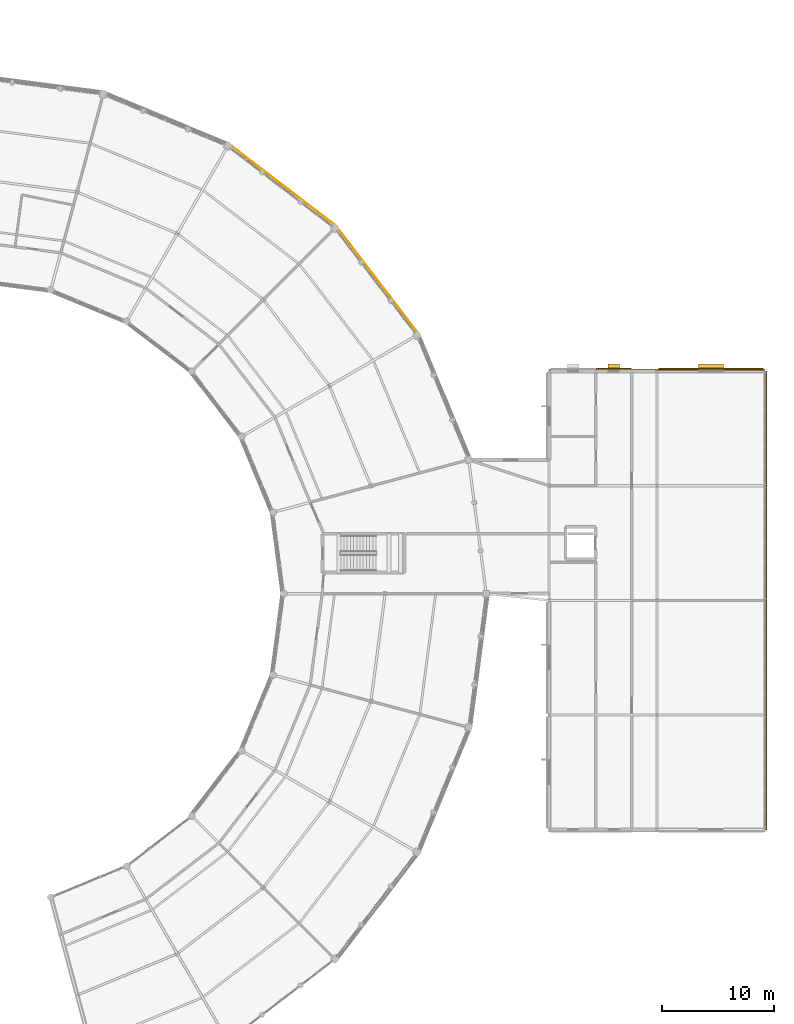
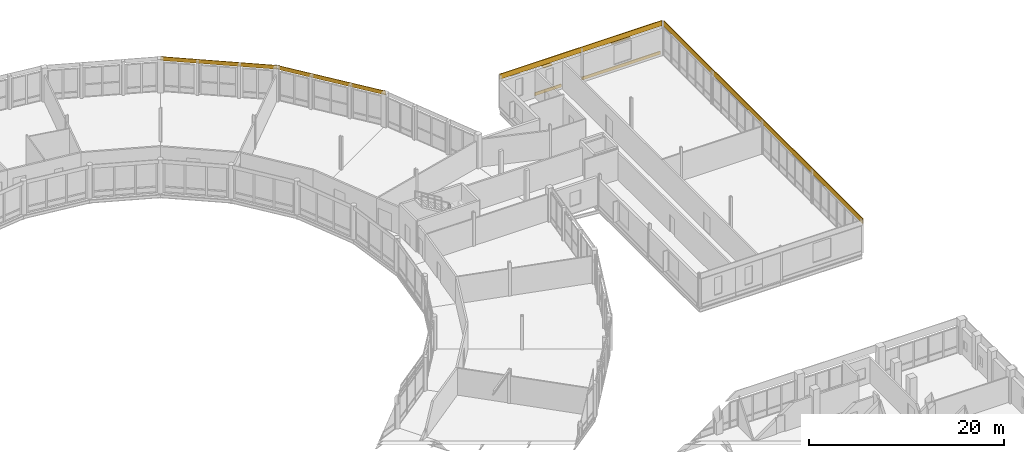
# One storey, part 170 of 170: 6 coverings, 2 shading devices.
"""IFC4 building model written with IfcOpenShell, lengths in metres."""

from ifc_helpers import new_model, si_unit, direction, frame, origin, origin_2d, place, context, subcontext, project, spatial, rectangle, extrude, material, layer, layer_set, type_object, element, save


model = new_model("IFC4")

# Units and contexts
model_context = context("Model", 3, precision=1e-05, world=origin(), true_north=direction((0.0, 1.0)))
body_context = subcontext(model_context, "Body", "Model", "MODEL_VIEW")
ifc_project = project(units=[si_unit("LENGTHUNIT", "METRE"), si_unit("AREAUNIT", "SQUARE_METRE"), si_unit("VOLUMEUNIT", "CUBIC_METRE"), si_unit("PLANEANGLEUNIT", "RADIAN"), si_unit("MASSUNIT", "GRAM", prefix="KILO")], contexts=[model_context])

# Site, building, storey
site_placement = place(None, origin())
site = spatial("IfcSite", under=ifc_project, at=site_placement, CompositionType="ELEMENT")
building_placement = place(site_placement, origin())
building = spatial("IfcBuilding", under=site, at=building_placement, Name="Vondelvale Polytechnic", CompositionType="ELEMENT")
storey_placement = place(building_placement, frame((0.0, 0.0, 5.39990234375)))
storey = spatial("IfcBuildingStorey", under=building, at=storey_placement, Name="L01", CompositionType="ELEMENT", Elevation=5.39990234375)

# Coverings
ifc_material_1 = material(Name="Amsterdam School iron-spot clinker clay brickwork", Category="masonry")
ifc_layer_1 = layer(ifc_material_1, 0.090087890625)
ifc_layer_set_1 = layer_set([ifc_layer_1], Name="COV-BRICK-RELIEF")
covering_type_1 = type_object("IfcCoveringType", Name="COV-BRICK-RELIEF", PredefinedType="CLADDING", material=ifc_layer_set_1)
covering_1_placement = place(storey_placement, frame((172.93701171875, 71.39990234375, 3.550048828125), z_axis=(0.0, 0.0, 1.0), x_axis=(0.0, 1.0, 0.0)))
element("IfcCovering", 1, at=covering_1_placement, inside=storey, type_object=covering_type_1, Name="L01 exterior masonry spandrel band", PredefinedType="CLADDING", context=body_context, shape_type="SweptSolid", body=[
    extrude(rectangle(XDim=40.800048828125, YDim=0.090087890625, at=origin_2d()), origin(), (0.0, 0.0, 1.0), 0.64990234375),
])
covering_2_placement = place(storey_placement, frame((163.199951171875, 91.93701171875, 3.550048828125), z_axis=(0.0, 0.0, 1.0), x_axis=(1.0, 0.0, 0.0)))
element("IfcCovering", 2, at=covering_2_placement, inside=storey, type_object=covering_type_1, Name="L01 exterior masonry spandrel band", PredefinedType="CLADDING", context=body_context, shape_type="SweptSolid", body=[
    extrude(rectangle(XDim=19.199951171875, YDim=0.090087890625, at=origin_2d()), origin(), (0.0, 0.0, 1.0), 0.64990234375),
])
covering_3_placement = place(storey_placement, frame((159.35009765625, 92.0009765625, 0.000244140625), z_axis=(0.0, 0.0, 1.0), x_axis=(1.0, 0.0, 0.0)))
element("IfcCovering", 3, at=covering_3_placement, inside=storey, type_object=covering_type_1, Name="L01 exterior corbelled masonry relief band", PredefinedType="CLADDING", context=body_context, shape_type="SweptSolid", body=[
    extrude(rectangle(XDim=3.139892578125, YDim=0.090087890625, at=origin_2d()), origin(), (0.0, 0.0, 1.0), 0.3798828125),
])
covering_4_placement = place(storey_placement, frame((168.0, 92.0009765625, 0.000244140625), z_axis=(0.0, 0.0, 1.0), x_axis=(1.0, 0.0, 0.0)))
element("IfcCovering", 4, at=covering_4_placement, inside=storey, type_object=covering_type_1, Name="L01 exterior corbelled masonry relief band", PredefinedType="CLADDING", context=body_context, shape_type="SweptSolid", body=[
    extrude(rectangle(XDim=9.278076171875, YDim=0.090087890625, at=origin_2d()), origin(), (0.0, 0.0, 1.0), 0.3798828125),
])
ifc_material_2 = material(Name="Engineered Tasmanian oak studio and bridge joinery")
ifc_layer_2 = layer(ifc_material_2, 0.06494140625)
ifc_layer_set_2 = layer_set([ifc_layer_2], Name="COV-OAK-SPANDREL")
covering_type_2 = type_object("IfcCoveringType", Name="COV-OAK-SPANDREL", PredefinedType="CLADDING", material=ifc_layer_set_2)
for number, where, z_axis, x_axis, name in (
    (5, (138.34912109375, 99.8916015625, 3.72021484375), (0.0, 0.0, 1.0), (-0.608761429009, 0.793353340291, 0.0), "L01 exterior masonry spandrel band"),
    (6, (129.8916015625, 108.34912109375, 3.72021484375), (0.0, 0.0, 1.0), (-0.793353340291, 0.608761429009, 0.0), "L01 exterior masonry spandrel band"),
):
    element("IfcCovering", number, at=place(storey_placement, frame(where, z_axis=z_axis, x_axis=x_axis)), inside=storey, type_object=covering_type_2, Name=name, PredefinedType="CLADDING", context=body_context, shape_type="SweptSolid", body=[
        extrude(rectangle(XDim=12.00830078125, YDim=0.06494140625, at=origin_2d()), origin(), (0.0, 0.0, 1.0), 0.47998046875),
    ])

# Shading devices
ifc_material_3 = material(Name="Anodised extruded aluminium 6063-T6", Category="aluminium")
shading_device_type = type_object("IfcShadingDeviceType", Name="SHD-BRONZE-LOUVRE", PredefinedType="SHUTTER", material=ifc_material_3)
shading_device_1_placement = place(storey_placement, frame((159.35009765625, 92.18505859375, 3.0576171875), z_axis=(0.0, 0.0, 1.0), x_axis=(1.0, 0.0, 0.0)))
element("IfcShadingDevice", 7, at=shading_device_1_placement, inside=storey, type_object=shading_device_type, Name="L01 horizontal bronze sun-louvre overhang", PredefinedType="SHUTTER", context=body_context, shape_type="SweptSolid", body=[
    extrude(rectangle(XDim=1.06005859375, YDim=0.47998046875, at=origin_2d()), origin(), (0.0, 0.0, 1.0), 0.0849609375),
])
shading_device_2_placement = place(storey_placement, frame((168.0, 92.18505859375, 3.257568359375), z_axis=(0.0, 0.0, 1.0), x_axis=(1.0, 0.0, 0.0)))
element("IfcShadingDevice", 8, at=shading_device_2_placement, inside=storey, type_object=shading_device_type, Name="L01 horizontal bronze sun-louvre overhang", PredefinedType="SHUTTER", context=body_context, shape_type="SweptSolid", body=[
    extrude(rectangle(XDim=2.260009765625, YDim=0.47998046875, at=origin_2d()), origin(), (0.0, 0.0, 1.0), 0.0849609375),
])

save(model, "model.ifc")
